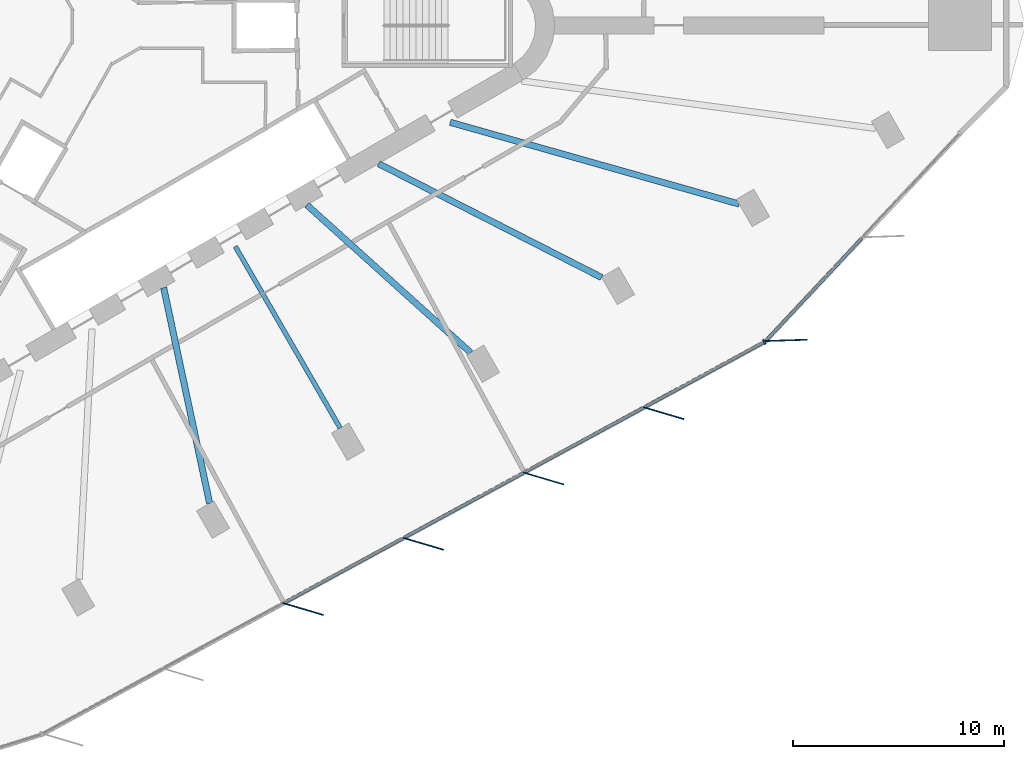
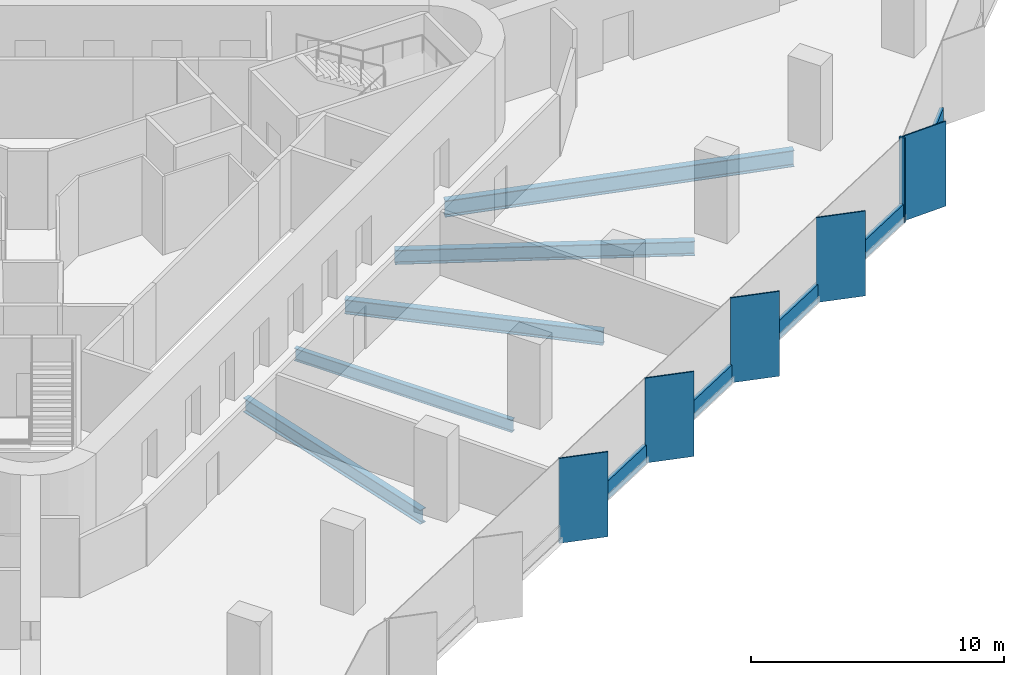
# One storey, part 3 of 14: 11 members, 5 beams, 2 elements without a shape of their own.
"""IFC4 building model written with IfcOpenShell, lengths in metres."""

from ifc_helpers import new_model, si_unit, direction, frame, origin, origin_2d, place, context, subcontext, project, spatial, rectangle, i_section, extrude, material, material_profile, profile_set, type_object, element, aggregate, save


model = new_model("IFC4")

# Units and contexts
model_context = context("Model", 3, precision=1e-05, world=origin(), true_north=direction((0.0, 1.0)))
body_context = subcontext(model_context, "Body", "Model", "MODEL_VIEW")
ifc_project = project(units=[si_unit("LENGTHUNIT", "METRE"), si_unit("AREAUNIT", "SQUARE_METRE"), si_unit("VOLUMEUNIT", "CUBIC_METRE"), si_unit("PLANEANGLEUNIT", "RADIAN"), si_unit("MASSUNIT", "GRAM", prefix="KILO")], contexts=[model_context])

# Site, building, storey
site_placement = place(None, origin())
site = spatial("IfcSite", under=ifc_project, at=site_placement, CompositionType="ELEMENT")
building_placement = place(site_placement, origin())
building = spatial("IfcBuilding", under=site, at=building_placement, Name="Tanit Gate Tower", CompositionType="ELEMENT")
storey_placement = place(building_placement, frame((0.0, 0.0, 123.39990234375)))
storey = spatial("IfcBuildingStorey", under=building, at=storey_placement, Name="L26", CompositionType="ELEMENT", Elevation=123.39990234375)

# Curtain wall, members
ifc_material_1 = material(Name="Aluminium bronze anodised and glass", Category="aluminium")
curtain_wall_type = type_object("IfcCurtainWallType", Name="Curtain wall typical low", PredefinedType="NOTDEFINED", material=ifc_material_1)
curtain_wall_1_placement = place(storey_placement, origin())
curtain_wall_1 = element("IfcCurtainWall", 1, at=curtain_wall_1_placement, inside=storey, type_object=curtain_wall_type, Name="Curtain wall L26 SE2", PredefinedType="NOTDEFINED")
ifc_material_2 = material(Name="Aluminium bronze anodised", Category="aluminium")
ifc_material_profile_1 = material_profile(ifc_material_2, rectangle(XDim=2.0, YDim=0.055908203125, at=origin_2d()), Name="56x2000 bronze fin mullion")
ifc_profile_set_1 = profile_set([ifc_material_profile_1], Name="Aluminium bronze anodised")
member_type_1 = type_object("IfcMemberType", Name="FIN MULLION 56x2000 bronze", PredefinedType="MULLION", material=ifc_profile_set_1)
member_1_placement = place(storey_placement, frame((9.269287109375, -27.681396484375, -0.2998046875), z_axis=(0.0, 0.0, 1.0), x_axis=(-0.958852239174, 0.283905588939, 0.0)))
member_1 = element("IfcMember", 2, at=member_1_placement, type_object=member_type_1, Name="Fin mullion L26 SE2.3", PredefinedType="MULLION", context=body_context, shape_type="SweptSolid", body=[
    extrude(rectangle(XDim=2.0, YDim=0.055908203125, at=origin_2d()), origin(), (0.0, 0.0, 1.0), 4.099853515625),
])
member_2_placement = place(storey_placement, frame((14.970458984375, -24.585205078125, -0.2998046875), z_axis=(0.0, 0.0, 1.0), x_axis=(-0.958852239174, 0.283905588939, 0.0)))
member_2 = element("IfcMember", 3, at=member_2_placement, type_object=member_type_1, Name="Fin mullion L26 SE2.4", PredefinedType="MULLION", context=body_context, shape_type="SweptSolid", body=[
    extrude(rectangle(XDim=2.0, YDim=0.055908203125, at=origin_2d()), origin(), (0.0, 0.0, 1.0), 4.099853515625),
])
member_3_placement = place(storey_placement, frame((20.67138671875, -21.48876953125, -0.2998046875), z_axis=(0.0, 0.0, 1.0), x_axis=(-0.958852239174, 0.283905588939, 0.0)))
member_3 = element("IfcMember", 4, at=member_3_placement, type_object=member_type_1, Name="Fin mullion L26 SE2.5", PredefinedType="MULLION", context=body_context, shape_type="SweptSolid", body=[
    extrude(rectangle(XDim=2.0, YDim=0.055908203125, at=origin_2d()), origin(), (0.0, 0.0, 1.0), 4.099853515625),
])
member_4_placement = place(storey_placement, frame((26.37255859375, -18.392578125, -0.2998046875), z_axis=(0.0, 0.0, 1.0), x_axis=(-0.958852239174, 0.283905588939, 0.0)))
member_4 = element("IfcMember", 5, at=member_4_placement, type_object=member_type_1, Name="Fin mullion L26 SE2.6", PredefinedType="MULLION", context=body_context, shape_type="SweptSolid", body=[
    extrude(rectangle(XDim=2.0, YDim=0.055908203125, at=origin_2d()), origin(), (0.0, 0.0, 1.0), 4.099853515625),
])

# Curtain wall, member
curtain_wall_2_placement = place(storey_placement, origin())
curtain_wall_2 = element("IfcCurtainWall", 6, at=curtain_wall_2_placement, inside=storey, type_object=curtain_wall_type, Name="Curtain wall L26 SE3", PredefinedType="NOTDEFINED")
member_5_placement = place(storey_placement, frame((32.17578125, -14.9384765625, -0.2998046875), z_axis=(0.0, 0.0, 1.0), x_axis=(-0.999463890821, -0.032740356511, 0.0)))
member_5 = element("IfcMember", 7, at=member_5_placement, type_object=member_type_1, Name="Fin mullion L26 SE3.1", PredefinedType="MULLION", context=body_context, shape_type="SweptSolid", body=[
    extrude(rectangle(XDim=2.0, YDim=0.055908203125, at=origin_2d()), origin(), (0.0, 0.0, 1.0), 4.099853515625),
])

# Member
ifc_material_3 = material(Name="Aluminium bronze anodised", Category="aluminium")
ifc_material_profile_2 = material_profile(ifc_material_3, rectangle(XDim=0.239990234375, YDim=0.080078125, at=origin_2d()), Name="80x240 bronze mullion")
ifc_profile_set_2 = profile_set([ifc_material_profile_2], Name="Aluminium bronze anodised")
member_type_2 = type_object("IfcMemberType", Name="Mullion 80x240 typical low", PredefinedType="MULLION", material=ifc_profile_set_2)
member_6_placement = place(storey_placement, frame((31.136474609375, -15.018798828125, -0.2998046875), z_axis=(0.0, 0.0, 1.0), x_axis=(-0.477259353321, 0.878762487631, 0.0)))
member_6 = element("IfcMember", 8, at=member_6_placement, type_object=member_type_2, Name="Mullion L26 SE2.7", PredefinedType="MULLION", context=body_context, shape_type="SweptSolid", body=[
    extrude(rectangle(XDim=0.239990234375, YDim=0.080078125, at=origin_2d()), origin(), (0.0, 0.0, 1.0), 4.099853515625),
])

# Beams
ifc_material_4 = material(Name="Steel S355", Category="steel")
ifc_material_profile_3 = material_profile(ifc_material_4, i_section(OverallWidth=0.300048828125, OverallDepth=0.68994140625, WebThickness=0.014404296875, FlangeThickness=0.027099609375, FilletRadius=0.027099609375, at=origin_2d()), Name="HEA 700")
ifc_profile_set_3 = profile_set([ifc_material_profile_3], Name="Steel S355")
beam_type_1 = type_object("IfcBeamType", Name="RADIAL GIRDER HEA 700 S355", PredefinedType="BEAM", material=ifc_profile_set_3)
beam_1_placement = place(storey_placement, frame((4.83447265625, -22.670166015625, -0.64501953125), z_axis=(-0.208567613374, 0.978007950199, 0.0), x_axis=(-0.978007950199, -0.208567613374, 0.0)))
element("IfcBeam", 9, at=beam_1_placement, inside=storey, type_object=beam_type_1, Name="RADIAL GIRDER", PredefinedType="BEAM", context=body_context, shape_type="SweptSolid", body=[
    extrude(i_section(OverallWidth=0.300048828125, OverallDepth=0.68994140625, WebThickness=0.014404296875, FlangeThickness=0.027099609375, FilletRadius=0.027099609375, at=origin_2d()), origin(), (0.0, 0.0, 1.0), 10.457763671875),
])
beam_2_placement = place(storey_placement, frame((17.2158203125, -15.52197265625, -0.64501953125), z_axis=(-0.742697199344, 0.669627411391, 0.0), x_axis=(-0.669627411391, -0.742697199344, 0.0)))
element("IfcBeam", 10, at=beam_2_placement, inside=storey, type_object=beam_type_1, Name="RADIAL GIRDER", PredefinedType="BEAM", context=body_context, shape_type="SweptSolid", body=[
    extrude(i_section(OverallWidth=0.300048828125, OverallDepth=0.68994140625, WebThickness=0.014404296875, FlangeThickness=0.027099609375, FilletRadius=0.027099609375, at=origin_2d()), origin(), (0.0, 0.0, 1.0), 10.4580078125),
])
beam_3_placement = place(storey_placement, frame((23.4248046875, -11.95703125, -0.64501953125), z_axis=(-0.890679829273, 0.454631105101, 0.0), x_axis=(-0.454631105101, -0.890679829273, 0.0)))
element("IfcBeam", 11, at=beam_3_placement, inside=storey, type_object=beam_type_1, Name="RADIAL GIRDER", PredefinedType="BEAM", context=body_context, shape_type="SweptSolid", body=[
    extrude(i_section(OverallWidth=0.300048828125, OverallDepth=0.68994140625, WebThickness=0.014404296875, FlangeThickness=0.027099609375, FilletRadius=0.027099609375, at=origin_2d()), origin(), (0.0, 0.0, 1.0), 11.876953125),
])
ifc_material_5 = material(Name="Steel S355", Category="steel")
ifc_material_profile_4 = material_profile(ifc_material_5, i_section(OverallWidth=0.300048828125, OverallDepth=0.7900390625, WebThickness=0.014892578125, FlangeThickness=0.028076171875, FilletRadius=0.030029296875, at=origin_2d()), Name="HEA 800")
ifc_profile_set_4 = profile_set([ifc_material_profile_4], Name="Steel S355")
beam_type_2 = type_object("IfcBeamType", Name="RADIAL GIRDER HEA 800 S355", PredefinedType="BEAM", material=ifc_profile_set_4)
beam_4_placement = place(storey_placement, frame((29.947998046875, -8.472900390625, -0.69482421875), z_axis=(-0.962230365489, 0.272236521669, 0.0), x_axis=(-0.272236521669, -0.962230365489, 0.0)))
element("IfcBeam", 12, at=beam_4_placement, inside=storey, type_object=beam_type_2, Name="RADIAL GIRDER", PredefinedType="BEAM", context=body_context, shape_type="SweptSolid", body=[
    extrude(i_section(OverallWidth=0.300048828125, OverallDepth=0.7900390625, WebThickness=0.014892578125, FlangeThickness=0.028076171875, FilletRadius=0.030029296875, at=origin_2d()), origin(), (0.0, 0.0, 1.0), 14.241943359375),
])
ifc_material_6 = material(Name="Steel S355", Category="steel")
ifc_material_profile_5 = material_profile(ifc_material_6, i_section(OverallWidth=0.219970703125, OverallDepth=0.60009765625, WebThickness=0.011962890625, FlangeThickness=0.01904296875, FilletRadius=0.02392578125, at=origin_2d()), Name="IPE 600")
ifc_profile_set_5 = profile_set([ifc_material_profile_5], Name="Steel S355")
beam_type_3 = type_object("IfcBeamType", Name="RADIAL GIRDER IPE 600 S355", PredefinedType="BEAM", material=ifc_profile_set_5)
beam_5_placement = place(storey_placement, frame((11.025146484375, -19.095947265625, -0.599853515625), z_axis=(-0.500008534912, 0.866020476095, 0.0), x_axis=(-0.866020476095, -0.500008534912, 0.0)))
element("IfcBeam", 13, at=beam_5_placement, inside=storey, type_object=beam_type_3, Name="RADIAL GIRDER", PredefinedType="BEAM", context=body_context, shape_type="SweptSolid", body=[
    extrude(i_section(OverallWidth=0.219970703125, OverallDepth=0.60009765625, WebThickness=0.011962890625, FlangeThickness=0.01904296875, FilletRadius=0.02392578125, at=origin_2d()), origin(), (0.0, 0.0, 1.0), 9.947998046875),
])

# Member
ifc_material_7 = material(Name="Aluminium bronze anodised", Category="aluminium")
ifc_material_profile_6 = material_profile(ifc_material_7, rectangle(XDim=0.159912109375, YDim=0.89990234375, at=origin_2d()), Name="160x900 bronze transom")
ifc_profile_set_6 = profile_set([ifc_material_profile_6], Name="Aluminium bronze anodised")
member_type_3 = type_object("IfcMemberType", Name="Transom 160x900 typical low", PredefinedType="USERDEFINED", material=ifc_profile_set_6)
member_7_placement = place(storey_placement, frame((8.3671875, -27.384765625, 0.150146484375), z_axis=(0.878764866194, 0.477254973723, 0.0), x_axis=(-0.477254973723, 0.878764866194, 0.0)))
member_7 = element("IfcMember", 14, at=member_7_placement, type_object=member_type_3, Name="Transom L26 SE2.3", ObjectType="TRANSOM", PredefinedType="USERDEFINED", context=body_context, shape_type="SweptSolid", body=[
    extrude(rectangle(XDim=0.159912109375, YDim=0.89990234375, at=origin_2d()), origin(), (0.0, 0.0, 1.0), 6.40771484375),
])

member_8_placement = place(storey_placement, frame((14.068359375, -24.28857421875, 0.150146484375), z_axis=(0.878764866194, 0.477254973723, 0.0), x_axis=(-0.477254973723, 0.878764866194, 0.0)))
member_8 = element("IfcMember", 15, at=member_8_placement, type_object=member_type_3, Name="Transom L26 SE2.4", ObjectType="TRANSOM", PredefinedType="USERDEFINED", context=body_context, shape_type="SweptSolid", body=[
    extrude(rectangle(XDim=0.159912109375, YDim=0.89990234375, at=origin_2d()), origin(), (0.0, 0.0, 1.0), 6.40771484375),
])

member_9_placement = place(storey_placement, frame((19.76953125, -21.192138671875, 0.150146484375), z_axis=(0.878772167509, 0.477241529638, 0.0), x_axis=(-0.477241529638, 0.878772167509, 0.0)))
member_9 = element("IfcMember", 16, at=member_9_placement, type_object=member_type_3, Name="Transom L26 SE2.5", ObjectType="TRANSOM", PredefinedType="USERDEFINED", context=body_context, shape_type="SweptSolid", body=[
    extrude(rectangle(XDim=0.159912109375, YDim=0.89990234375, at=origin_2d()), origin(), (0.0, 0.0, 1.0), 6.407470703125),
])

member_10_placement = place(storey_placement, frame((25.470458984375, -18.095947265625, 0.150146484375), z_axis=(0.878764866194, 0.477254973723, 0.0), x_axis=(-0.477254973723, 0.878764866194, 0.0)))
member_10 = element("IfcMember", 17, at=member_10_placement, type_object=member_type_3, Name="Transom L26 SE2.6", ObjectType="TRANSOM", PredefinedType="USERDEFINED", context=body_context, shape_type="SweptSolid", body=[
    extrude(rectangle(XDim=0.159912109375, YDim=0.89990234375, at=origin_2d()), origin(), (0.0, 0.0, 1.0), 6.40771484375),
])

aggregate(curtain_wall_1, [member_1, member_2, member_3, member_4, member_6, member_7, member_8, member_9, member_10])

member_11_placement = place(storey_placement, frame((31.226318359375, -14.94140625, 0.150146484375), z_axis=(0.683569579282, 0.729885354203, 0.0), x_axis=(-0.729885354203, 0.683569579282, 0.0)))
member_11 = element("IfcMember", 18, at=member_11_placement, type_object=member_type_3, Name="Transom L26 SE3.1", ObjectType="TRANSOM", PredefinedType="USERDEFINED", context=body_context, shape_type="SweptSolid", body=[
    extrude(rectangle(XDim=0.159912109375, YDim=0.89990234375, at=origin_2d()), origin(), (0.0, 0.0, 1.0), 6.668212890625),
])

aggregate(curtain_wall_2, [member_5, member_11])

save(model, "model.ifc")
